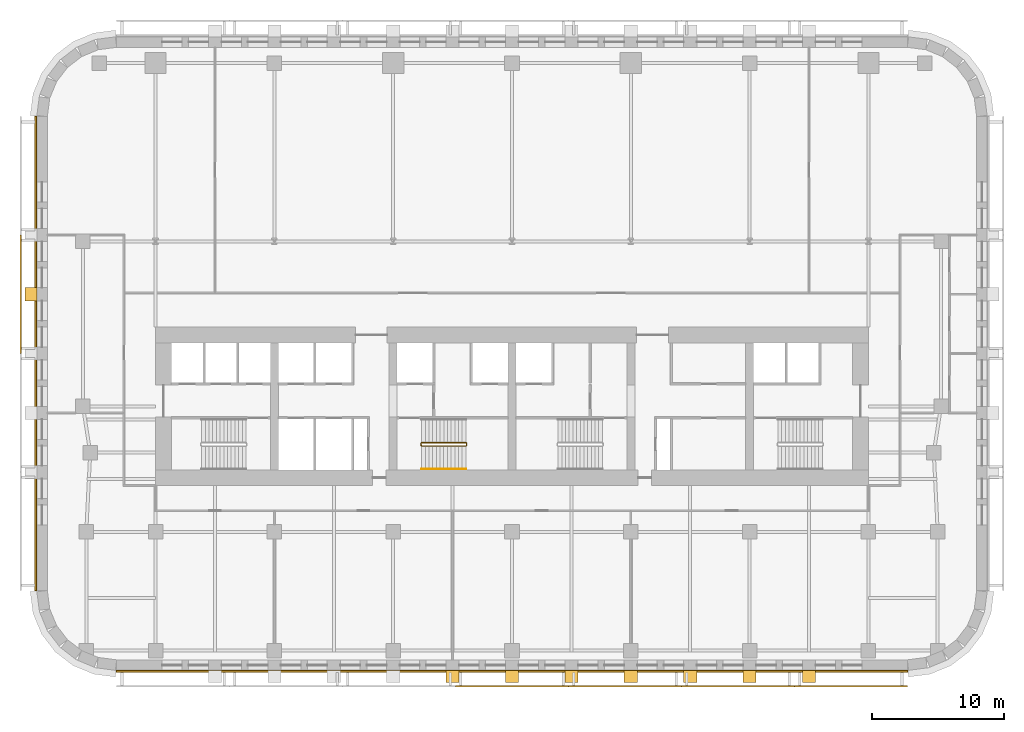
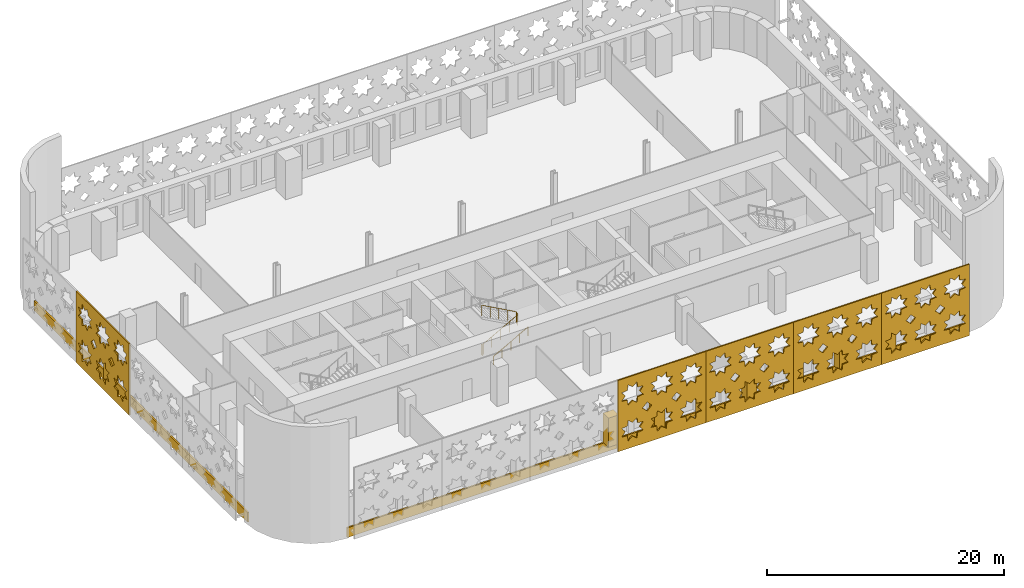
# One storey, part 10 of 13: 15 coverings, 2 railings.
"""IFC4 building model written with IfcOpenShell, lengths in metres."""

from ifc_helpers import new_model, si_unit, direction, frame, origin, origin_2d, place, context, subcontext, project, spatial, polyline, circle, outline, extrude, material, layer, layer_set, type_object, element, save


model = new_model("IFC4")

# Units and contexts
model_context = context("Model", 3, precision=1e-05, world=origin(), true_north=direction((0.0, 1.0)))
body_context = subcontext(model_context, "Body", "Model", "MODEL_VIEW")
ifc_project = project(units=[si_unit("LENGTHUNIT", "METRE"), si_unit("AREAUNIT", "SQUARE_METRE"), si_unit("VOLUMEUNIT", "CUBIC_METRE"), si_unit("PLANEANGLEUNIT", "RADIAN"), si_unit("MASSUNIT", "GRAM", prefix="KILO")], contexts=[model_context])

# Site, building, storey
site_placement = place(None, origin())
site = spatial("IfcSite", under=ifc_project, at=site_placement, CompositionType="ELEMENT")
building_placement = place(site_placement, origin())
building = spatial("IfcBuilding", under=site, at=building_placement, Name="Zellij Exchange Tower", CompositionType="ELEMENT")
storey_placement = place(building_placement, frame((0.0, 0.0, 52.5)))
storey = spatial("IfcBuildingStorey", under=building, at=storey_placement, Name="L09", CompositionType="ELEMENT", Elevation=52.5)

# Railings
ifc_material_1 = material(Name="Stainless steel", Category="steel")
railing_type_1 = type_object("IfcRailingType", Name="CORE-RG stair guard", PredefinedType="GUARDRAIL", material=ifc_material_1)
railing_1_placement = place(storey_placement, frame((-6.89990234375, -10.949951171875, 0.0)))
element("IfcRailing", 1, at=railing_1_placement, inside=storey, type_object=railing_type_1, Name="ST2 stair guard L09", PredefinedType="GUARDRAIL", context=body_context, shape_type="SweptSolid", body=[
    extrude(circle(Radius=0.02392578125, at=origin_2d()), frame((0.0, 0.0, 1.076171875), z_axis=(0.0, 1.0, 0.0), x_axis=(-1.0, 0.0, 0.0)), (0.0, 0.0, 1.0), 0.14990234375),
    extrude(circle(Radius=0.02392578125, at=origin_2d()), frame((0.0, 0.14990234375, 1.076171875), z_axis=(0.193691321961, -0.777613689637, 0.598164376644), x_axis=(0.970351222016, 0.241699205484, 0.0)), (0.0, 0.0, 1.0), 0.257080078125),
    extrude(circle(Radius=0.02392578125, at=origin_2d()), frame((0.0498046875, -0.050048828125, 1.22998046875), z_axis=(0.876421534553, 0.0, 0.481544695509), x_axis=(0.0, 1.0, 0.0)), (0.0, 0.0, 1.0), 3.833984375),
    extrude(circle(Radius=0.02392578125, at=origin_2d()), frame((3.409912109375, -0.050048828125, 3.076171875), z_axis=(0.707106781187, 0.707106781187, 0.0), x_axis=(-0.707106781187, 0.707106781187, 0.0)), (0.0, 0.0, 1.0), 0.07080078125),
    extrude(circle(Radius=0.02392578125, at=origin_2d()), frame((3.4599609375, 0.0, 3.076171875), z_axis=(0.0, 1.0, 0.0), x_axis=(-1.0, 0.0, 0.0)), (0.0, 0.0, 1.0), 0.14990234375),
    extrude(circle(Radius=0.02392578125, at=origin_2d()), frame((3.4599609375, 0.14990234375, 3.076171875), z_axis=(-0.295599637079, 0.295599637079, 0.908428152975), x_axis=(-0.707106781187, -0.707106781187, 0.0)), (0.0, 0.0, 1.0), 0.16943359375),
    extrude(circle(Radius=0.02392578125, at=origin_2d()), frame((3.409912109375, 0.199951171875, 3.22998046875), z_axis=(-0.876421534553, 0.0, 0.481544695509), x_axis=(0.0, -1.0, 0.0)), (0.0, 0.0, 1.0), 3.833984375),
    extrude(circle(Radius=0.02099609375, at=origin_2d()), origin(), (0.0, 0.0, 1.0), 1.052001953125),
    extrude(circle(Radius=0.02099609375, at=origin_2d()), frame((0.0, 0.14990234375, 0.0)), (0.0, 0.0, 1.0), 1.052001953125),
    extrude(circle(Radius=0.02099609375, at=origin_2d()), frame((0.0498046875, -0.050048828125, 0.15380859375)), (0.0, 0.0, 1.0), 1.052001953125),
    extrude(circle(Radius=0.02099609375, at=origin_2d()), frame((0.889892578125, -0.050048828125, 0.615234375)), (0.0, 0.0, 1.0), 1.052001953125),
    extrude(circle(Radius=0.02099609375, at=origin_2d()), frame((1.72998046875, -0.050048828125, 1.076904296875)), (0.0, 0.0, 1.0), 1.052001953125),
    extrude(circle(Radius=0.02099609375, at=origin_2d()), frame((2.56982421875, -0.050048828125, 1.53857421875)), (0.0, 0.0, 1.0), 1.052001953125),
    extrude(circle(Radius=0.02099609375, at=origin_2d()), frame((3.409912109375, -0.050048828125, 2.0)), (0.0, 0.0, 1.0), 1.052001953125),
    extrude(circle(Radius=0.02099609375, at=origin_2d()), frame((3.4599609375, 0.0, 2.0)), (0.0, 0.0, 1.0), 1.052001953125),
    extrude(circle(Radius=0.02099609375, at=origin_2d()), frame((3.4599609375, 0.14990234375, 2.0)), (0.0, 0.0, 1.0), 1.052001953125),
    extrude(circle(Radius=0.02099609375, at=origin_2d()), frame((3.409912109375, 0.199951171875, 2.15380859375)), (0.0, 0.0, 1.0), 1.052001953125),
    extrude(circle(Radius=0.02099609375, at=origin_2d()), frame((2.56982421875, 0.199951171875, 2.615234375)), (0.0, 0.0, 1.0), 1.052001953125),
    extrude(circle(Radius=0.02099609375, at=origin_2d()), frame((1.72998046875, 0.199951171875, 3.076904296875)), (0.0, 0.0, 1.0), 1.052001953125),
    extrude(circle(Radius=0.02099609375, at=origin_2d()), frame((0.889892578125, 0.199951171875, 3.53857421875)), (0.0, 0.0, 1.0), 1.052001953125),
    extrude(circle(Radius=0.02099609375, at=origin_2d()), frame((0.0498046875, 0.199951171875, 4.0)), (0.0, 0.0, 1.0), 1.052001953125),
])
railing_type_2 = type_object("IfcRailingType", Name="CORE-RH stair handrail", PredefinedType="HANDRAIL", material=ifc_material_1)
railing_2_placement = place(storey_placement, frame((-6.85009765625, -12.75, 0.15380859375)))
element("IfcRailing", 2, at=railing_2_placement, inside=storey, type_object=railing_type_2, Name="ST2 stair handrail L09", PredefinedType="HANDRAIL", context=body_context, shape_type="SweptSolid", body=[
    extrude(circle(Radius=0.02392578125, at=origin_2d()), frame((0.0, 0.0, 0.8759765625), z_axis=(0.876421534553, 0.0, 0.481544695509), x_axis=(0.0, 1.0, 0.0)), (0.0, 0.0, 1.0), 3.833984375),
    extrude(circle(Radius=0.02099609375, at=origin_2d()), origin(), (0.0, 0.0, 1.0), 0.851806640625),
    extrude(circle(Radius=0.02099609375, at=origin_2d()), frame((0.840087890625, 0.0, 0.46142578125)), (0.0, 0.0, 1.0), 0.851806640625),
    extrude(circle(Radius=0.02099609375, at=origin_2d()), frame((1.68017578125, 0.0, 0.923095703125)), (0.0, 0.0, 1.0), 0.851806640625),
    extrude(circle(Radius=0.02099609375, at=origin_2d()), frame((2.52001953125, 0.0, 1.384765625)), (0.0, 0.0, 1.0), 0.851806640625),
    extrude(circle(Radius=0.02099609375, at=origin_2d()), frame((3.360107421875, 0.0, 1.84619140625)), (0.0, 0.0, 1.0), 0.851806640625),
])

# Coverings
ifc_material_2 = material(Name="Limestone cladding", Category="masonry")
ifc_layer_1 = layer(ifc_material_2, 0.14990234375)
ifc_layer_set_1 = layer_set([ifc_layer_1], Name="Limestone cladding")
covering_type_1 = type_object("IfcCoveringType", Name="ENV-CV1 Stone spandrel band 150", PredefinedType="CLADDING", material=ifc_layer_set_1)
covering_1_placement = place(storey_placement, frame((0.0, 0.0, -0.199951171875)))
element("IfcCovering", 3, at=covering_1_placement, inside=storey, type_object=covering_type_1, Name="Stone spandrel band", PredefinedType="CLADDING", context=body_context, shape_type="SweptSolid", body=[
    extrude(outline(polyline([(-29.973876953125, -28.0), (29.973876953125, -28.0), (29.983642578125, -28.14990234375), (-29.983642578125, -28.14990234375), (-29.973876953125, -28.0)])), origin(), (0.0, 0.0, 1.0), 1.0),
])
covering_2_placement = place(storey_placement, frame((0.0, 0.0, -0.199951171875)))
element("IfcCovering", 4, at=covering_2_placement, inside=storey, type_object=covering_type_1, Name="Stone spandrel band", PredefinedType="CLADDING", context=body_context, shape_type="SweptSolid", body=[
    extrude(outline(polyline([(-36.0, 13.973876953125), (-36.0, -21.973876953125), (-36.14990234375, -21.983642578125), (-36.14990234375, 13.983642578125), (-36.0, 13.973876953125)])), origin(), (0.0, 0.0, 1.0), 1.0),
])
covering_type_2 = type_object("IfcCoveringType", Name="ENV-CV2 Stone pier 1000x900", PredefinedType="CLADDING", material=ifc_material_2)
covering_3_placement = place(storey_placement, frame((0.0, 0.0, 0.800048828125)))
element("IfcCovering", 5, at=covering_3_placement, inside=storey, type_object=covering_type_2, Name="Stone pier", PredefinedType="CLADDING", context=body_context, shape_type="SweptSolid", body=[
    extrude(outline(polyline([(-5.0, -28.0), (-4.0, -28.0), (-4.0, -28.89990234375), (-5.0, -28.89990234375), (-5.0, -28.0)])), origin(), (0.0, 0.0, 1.0), 3.0),
])
covering_4_placement = place(storey_placement, frame((0.0, 0.0, 0.800048828125)))
element("IfcCovering", 6, at=covering_4_placement, inside=storey, type_object=covering_type_2, Name="Stone pier", PredefinedType="CLADDING", context=body_context, shape_type="SweptSolid", body=[
    extrude(outline(polyline([(-0.5, -28.0), (0.5, -28.0), (0.5, -28.89990234375), (-0.5, -28.89990234375), (-0.5, -28.0)])), origin(), (0.0, 0.0, 1.0), 3.0),
])
covering_5_placement = place(storey_placement, frame((0.0, 0.0, 0.800048828125)))
element("IfcCovering", 7, at=covering_5_placement, inside=storey, type_object=covering_type_2, Name="Stone pier", PredefinedType="CLADDING", context=body_context, shape_type="SweptSolid", body=[
    extrude(outline(polyline([(4.0, -28.0), (5.0, -28.0), (5.0, -28.89990234375), (4.0, -28.89990234375), (4.0, -28.0)])), origin(), (0.0, 0.0, 1.0), 3.0),
])
covering_6_placement = place(storey_placement, frame((0.0, 0.0, 0.800048828125)))
element("IfcCovering", 8, at=covering_6_placement, inside=storey, type_object=covering_type_2, Name="Stone pier", PredefinedType="CLADDING", context=body_context, shape_type="SweptSolid", body=[
    extrude(outline(polyline([(8.5, -28.0), (9.5, -28.0), (9.5, -28.89990234375), (8.5, -28.89990234375), (8.5, -28.0)])), origin(), (0.0, 0.0, 1.0), 3.0),
])
covering_7_placement = place(storey_placement, frame((0.0, 0.0, 0.800048828125)))
element("IfcCovering", 9, at=covering_7_placement, inside=storey, type_object=covering_type_2, Name="Stone pier", PredefinedType="CLADDING", context=body_context, shape_type="SweptSolid", body=[
    extrude(outline(polyline([(13.0, -28.0), (14.0, -28.0), (14.0, -28.89990234375), (13.0, -28.89990234375), (13.0, -28.0)])), origin(), (0.0, 0.0, 1.0), 3.0),
])
covering_8_placement = place(storey_placement, frame((0.0, 0.0, 0.800048828125)))
element("IfcCovering", 10, at=covering_8_placement, inside=storey, type_object=covering_type_2, Name="Stone pier", PredefinedType="CLADDING", context=body_context, shape_type="SweptSolid", body=[
    extrude(outline(polyline([(17.5, -28.0), (18.5, -28.0), (18.5, -28.89990234375), (17.5, -28.89990234375), (17.5, -28.0)])), origin(), (0.0, 0.0, 1.0), 3.0),
])
covering_9_placement = place(storey_placement, frame((0.0, 0.0, 0.800048828125)))
element("IfcCovering", 11, at=covering_9_placement, inside=storey, type_object=covering_type_2, Name="Stone pier", PredefinedType="CLADDING", context=body_context, shape_type="SweptSolid", body=[
    extrude(outline(polyline([(22.0, -28.0), (23.0, -28.0), (23.0, -28.89990234375), (22.0, -28.89990234375), (22.0, -28.0)])), origin(), (0.0, 0.0, 1.0), 3.0),
])
covering_10_placement = place(storey_placement, frame((0.0, 0.0, 0.800048828125)))
element("IfcCovering", 12, at=covering_10_placement, inside=storey, type_object=covering_type_2, Name="Stone pier", PredefinedType="CLADDING", context=body_context, shape_type="SweptSolid", body=[
    extrude(outline(polyline([(-36.0, 0.993408203125), (-36.0, -0.006591796875), (-36.89990234375, -0.006591796875), (-36.89990234375, 0.993408203125), (-36.0, 0.993408203125)])), origin(), (0.0, 0.0, 1.0), 3.0),
])
ifc_material_3 = material(Name="Limestone screen", Category="masonry")
ifc_layer_2 = layer(ifc_material_3, 0.1201171875)
ifc_layer_set_2 = layer_set([ifc_layer_2], Name="Limestone screen")
covering_type_3 = type_object("IfcCoveringType", Name="ENV-SC1 Pierced stone screen 120", PredefinedType="USERDEFINED", material=ifc_layer_set_2)
covering_11_placement = place(storey_placement, frame((-37.2099609375, 4.973876953125, 0.300048828125), z_axis=(0.0, 0.0, 1.0), x_axis=(0.0, -1.0, 0.0)))
element("IfcCovering", 13, at=covering_11_placement, inside=storey, type_object=covering_type_3, Name="Pierced stone screen", ObjectType="SCREEN", PredefinedType="USERDEFINED", context=body_context, shape_type="SweptSolid", body=[
    extrude(outline(polyline([(0.0, 0.0), (8.973876953125, 0.0), (8.973876953125, 7.35009765625), (0.0, 7.35009765625), (0.0, 0.0)]), holes=[polyline([(2.60107421875, 2.29541015625), (2.020263671875, 2.362060546875), (1.95361328125, 2.94287109375), (1.49560546875, 2.579345703125), (1.03759765625, 2.94287109375), (0.97119140625, 2.362060546875), (0.39013671875, 2.29541015625), (0.75390625, 1.83740234375), (0.39013671875, 1.379638671875), (0.97119140625, 1.31298828125), (1.03759765625, 0.732177734375), (1.49560546875, 1.095703125), (1.95361328125, 0.732177734375), (2.020263671875, 1.31298828125), (2.60107421875, 1.379638671875), (2.237548828125, 1.83740234375), (2.60107421875, 2.29541015625)]), polyline([(2.60107421875, 5.970458984375), (2.020263671875, 6.037109375), (1.95361328125, 6.617919921875), (1.49560546875, 6.25439453125), (1.03759765625, 6.617919921875), (0.97119140625, 6.037109375), (0.39013671875, 5.970458984375), (0.75390625, 5.512451171875), (0.39013671875, 5.0546875), (0.97119140625, 4.98779296875), (1.03759765625, 4.406982421875), (1.49560546875, 4.770751953125), (1.95361328125, 4.406982421875), (2.020263671875, 4.98779296875), (2.60107421875, 5.0546875), (2.237548828125, 5.512451171875), (2.60107421875, 5.970458984375)]), polyline([(5.59228515625, 2.29541015625), (5.011474609375, 2.362060546875), (4.94482421875, 2.94287109375), (4.48681640625, 2.579345703125), (4.029052734375, 2.94287109375), (3.96240234375, 2.362060546875), (3.381591796875, 2.29541015625), (3.7451171875, 1.83740234375), (3.381591796875, 1.379638671875), (3.96240234375, 1.31298828125), (4.029052734375, 0.732177734375), (4.48681640625, 1.095703125), (4.94482421875, 0.732177734375), (5.011474609375, 1.31298828125), (5.59228515625, 1.379638671875), (5.228759765625, 1.83740234375), (5.59228515625, 2.29541015625)]), polyline([(5.59228515625, 5.970458984375), (5.011474609375, 6.037109375), (4.94482421875, 6.617919921875), (4.48681640625, 6.25439453125), (4.029052734375, 6.617919921875), (3.96240234375, 6.037109375), (3.381591796875, 5.970458984375), (3.7451171875, 5.512451171875), (3.381591796875, 5.0546875), (3.96240234375, 4.98779296875), (4.029052734375, 4.406982421875), (4.48681640625, 4.770751953125), (4.94482421875, 4.406982421875), (5.011474609375, 4.98779296875), (5.59228515625, 5.0546875), (5.228759765625, 5.512451171875), (5.59228515625, 5.970458984375)]), polyline([(8.58349609375, 2.29541015625), (8.002685546875, 2.362060546875), (7.93603515625, 2.94287109375), (7.478271484375, 2.579345703125), (7.020263671875, 2.94287109375), (6.95361328125, 2.362060546875), (6.372802734375, 2.29541015625), (6.736328125, 1.83740234375), (6.372802734375, 1.379638671875), (6.95361328125, 1.31298828125), (7.020263671875, 0.732177734375), (7.478271484375, 1.095703125), (7.93603515625, 0.732177734375), (8.002685546875, 1.31298828125), (8.58349609375, 1.379638671875), (8.219970703125, 1.83740234375), (8.58349609375, 2.29541015625)]), polyline([(8.58349609375, 5.970458984375), (8.002685546875, 6.037109375), (7.93603515625, 6.617919921875), (7.478271484375, 6.25439453125), (7.020263671875, 6.617919921875), (6.95361328125, 6.037109375), (6.372802734375, 5.970458984375), (6.736328125, 5.512451171875), (6.372802734375, 5.0546875), (6.95361328125, 4.98779296875), (7.020263671875, 4.406982421875), (7.478271484375, 4.770751953125), (7.93603515625, 4.406982421875), (8.002685546875, 4.98779296875), (8.58349609375, 5.0546875), (8.219970703125, 5.512451171875), (8.58349609375, 5.970458984375)]), polyline([(3.469970703125, 3.675048828125), (2.9912109375, 4.153564453125), (2.5126953125, 3.675048828125), (2.9912109375, 3.1962890625), (3.469970703125, 3.675048828125)]), polyline([(6.461181640625, 3.675048828125), (5.982421875, 4.153564453125), (5.50390625, 3.675048828125), (5.982421875, 3.1962890625), (6.461181640625, 3.675048828125)])]), frame((0.0, 0.06005859375, 0.0), z_axis=(0.0, -1.0, 0.0), x_axis=(1.0, 0.0, 0.0)), (0.0, 0.0, 1.0), 0.1201171875),
])
covering_12_placement = place(storey_placement, frame((-4.2783203125, -29.2099609375, 0.300048828125), z_axis=(0.0, 0.0, 1.0), x_axis=(1.0, 0.0, 0.0)))
element("IfcCovering", 14, at=covering_12_placement, inside=storey, type_object=covering_type_3, Name="Pierced stone screen", ObjectType="SCREEN", PredefinedType="USERDEFINED", context=body_context, shape_type="SweptSolid", body=[
    extrude(outline(polyline([(0.0, 0.0), (8.556396484375, 0.0), (8.556396484375, 7.35009765625), (0.0, 7.35009765625), (0.0, 0.0)]), holes=[polyline([(2.47998046875, 2.274169921875), (1.92626953125, 2.337646484375), (1.86279296875, 2.8916015625), (1.426025390625, 2.544921875), (0.989501953125, 2.8916015625), (0.92578125, 2.337646484375), (0.3720703125, 2.274169921875), (0.71875, 1.83740234375), (0.3720703125, 1.40087890625), (0.92578125, 1.33740234375), (0.989501953125, 0.783447265625), (1.426025390625, 1.130126953125), (1.86279296875, 0.783447265625), (1.92626953125, 1.33740234375), (2.47998046875, 1.40087890625), (2.13330078125, 1.83740234375), (2.47998046875, 2.274169921875)]), polyline([(2.47998046875, 5.94921875), (1.92626953125, 6.0126953125), (1.86279296875, 6.56640625), (1.426025390625, 6.2197265625), (0.989501953125, 6.56640625), (0.92578125, 6.0126953125), (0.3720703125, 5.94921875), (0.71875, 5.512451171875), (0.3720703125, 5.075927734375), (0.92578125, 5.01220703125), (0.989501953125, 4.45849609375), (1.426025390625, 4.80517578125), (1.86279296875, 4.45849609375), (1.92626953125, 5.01220703125), (2.47998046875, 5.075927734375), (2.13330078125, 5.512451171875), (2.47998046875, 5.94921875)]), polyline([(5.332275390625, 2.274169921875), (4.7783203125, 2.337646484375), (4.71484375, 2.8916015625), (4.2783203125, 2.544921875), (3.841552734375, 2.8916015625), (3.778076171875, 2.337646484375), (3.22412109375, 2.274169921875), (3.57080078125, 1.83740234375), (3.22412109375, 1.40087890625), (3.778076171875, 1.33740234375), (3.841552734375, 0.783447265625), (4.2783203125, 1.130126953125), (4.71484375, 0.783447265625), (4.7783203125, 1.33740234375), (5.332275390625, 1.40087890625), (4.985595703125, 1.83740234375), (5.332275390625, 2.274169921875)]), polyline([(5.332275390625, 5.94921875), (4.7783203125, 6.0126953125), (4.71484375, 6.56640625), (4.2783203125, 6.2197265625), (3.841552734375, 6.56640625), (3.778076171875, 6.0126953125), (3.22412109375, 5.94921875), (3.57080078125, 5.512451171875), (3.22412109375, 5.075927734375), (3.778076171875, 5.01220703125), (3.841552734375, 4.45849609375), (4.2783203125, 4.80517578125), (4.71484375, 4.45849609375), (4.7783203125, 5.01220703125), (5.332275390625, 5.075927734375), (4.985595703125, 5.512451171875), (5.332275390625, 5.94921875)]), polyline([(8.184326171875, 2.274169921875), (7.630615234375, 2.337646484375), (7.56689453125, 2.8916015625), (7.13037109375, 2.544921875), (6.69384765625, 2.8916015625), (6.630126953125, 2.337646484375), (6.076416015625, 2.274169921875), (6.423095703125, 1.83740234375), (6.076416015625, 1.40087890625), (6.630126953125, 1.33740234375), (6.69384765625, 0.783447265625), (7.13037109375, 1.130126953125), (7.56689453125, 0.783447265625), (7.630615234375, 1.33740234375), (8.184326171875, 1.40087890625), (7.837646484375, 1.83740234375), (8.184326171875, 2.274169921875)]), polyline([(8.184326171875, 5.94921875), (7.630615234375, 6.0126953125), (7.56689453125, 6.56640625), (7.13037109375, 6.2197265625), (6.69384765625, 6.56640625), (6.630126953125, 6.0126953125), (6.076416015625, 5.94921875), (6.423095703125, 5.512451171875), (6.076416015625, 5.075927734375), (6.630126953125, 5.01220703125), (6.69384765625, 4.45849609375), (7.13037109375, 4.80517578125), (7.56689453125, 4.45849609375), (7.630615234375, 5.01220703125), (8.184326171875, 5.075927734375), (7.837646484375, 5.512451171875), (8.184326171875, 5.94921875)]), polyline([(3.30859375, 3.675048828125), (2.852294921875, 4.13134765625), (2.395751953125, 3.675048828125), (2.852294921875, 3.21875), (3.30859375, 3.675048828125)]), polyline([(6.16064453125, 3.675048828125), (5.704345703125, 4.13134765625), (5.248046875, 3.675048828125), (5.704345703125, 3.21875), (6.16064453125, 3.675048828125)])]), frame((0.0, 0.06005859375, 0.0), z_axis=(0.0, -1.0, 0.0), x_axis=(1.0, 0.0, 0.0)), (0.0, 0.0, 1.0), 0.1201171875),
])
covering_13_placement = place(storey_placement, frame((4.2783203125, -29.2099609375, 0.300048828125), z_axis=(0.0, 0.0, 1.0), x_axis=(1.0, 0.0, 0.0)))
element("IfcCovering", 15, at=covering_13_placement, inside=storey, type_object=covering_type_3, Name="Pierced stone screen", ObjectType="SCREEN", PredefinedType="USERDEFINED", context=body_context, shape_type="SweptSolid", body=[
    extrude(outline(polyline([(0.0, 0.0), (8.556396484375, 0.0), (8.556396484375, 7.35009765625), (0.0, 7.35009765625), (0.0, 0.0)]), holes=[polyline([(2.47998046875, 2.274169921875), (1.92626953125, 2.337646484375), (1.86279296875, 2.8916015625), (1.426025390625, 2.544921875), (0.989501953125, 2.8916015625), (0.92578125, 2.337646484375), (0.3720703125, 2.274169921875), (0.71875, 1.83740234375), (0.3720703125, 1.40087890625), (0.92578125, 1.33740234375), (0.989501953125, 0.783447265625), (1.426025390625, 1.130126953125), (1.86279296875, 0.783447265625), (1.92626953125, 1.33740234375), (2.47998046875, 1.40087890625), (2.13330078125, 1.83740234375), (2.47998046875, 2.274169921875)]), polyline([(2.47998046875, 5.94921875), (1.92626953125, 6.0126953125), (1.86279296875, 6.56640625), (1.426025390625, 6.2197265625), (0.989501953125, 6.56640625), (0.92578125, 6.0126953125), (0.3720703125, 5.94921875), (0.71875, 5.512451171875), (0.3720703125, 5.075927734375), (0.92578125, 5.01220703125), (0.989501953125, 4.45849609375), (1.426025390625, 4.80517578125), (1.86279296875, 4.45849609375), (1.92626953125, 5.01220703125), (2.47998046875, 5.075927734375), (2.13330078125, 5.512451171875), (2.47998046875, 5.94921875)]), polyline([(5.332275390625, 2.274169921875), (4.7783203125, 2.337646484375), (4.71484375, 2.8916015625), (4.2783203125, 2.544921875), (3.841552734375, 2.8916015625), (3.778076171875, 2.337646484375), (3.22412109375, 2.274169921875), (3.57080078125, 1.83740234375), (3.22412109375, 1.40087890625), (3.778076171875, 1.33740234375), (3.841552734375, 0.783447265625), (4.2783203125, 1.130126953125), (4.71484375, 0.783447265625), (4.7783203125, 1.33740234375), (5.332275390625, 1.40087890625), (4.985595703125, 1.83740234375), (5.332275390625, 2.274169921875)]), polyline([(5.332275390625, 5.94921875), (4.7783203125, 6.0126953125), (4.71484375, 6.56640625), (4.2783203125, 6.2197265625), (3.841552734375, 6.56640625), (3.778076171875, 6.0126953125), (3.22412109375, 5.94921875), (3.57080078125, 5.512451171875), (3.22412109375, 5.075927734375), (3.778076171875, 5.01220703125), (3.841552734375, 4.45849609375), (4.2783203125, 4.80517578125), (4.71484375, 4.45849609375), (4.7783203125, 5.01220703125), (5.332275390625, 5.075927734375), (4.985595703125, 5.512451171875), (5.332275390625, 5.94921875)]), polyline([(8.184326171875, 2.274169921875), (7.630615234375, 2.337646484375), (7.56689453125, 2.8916015625), (7.13037109375, 2.544921875), (6.69384765625, 2.8916015625), (6.630126953125, 2.337646484375), (6.076416015625, 2.274169921875), (6.423095703125, 1.83740234375), (6.076416015625, 1.40087890625), (6.630126953125, 1.33740234375), (6.69384765625, 0.783447265625), (7.13037109375, 1.130126953125), (7.56689453125, 0.783447265625), (7.630615234375, 1.33740234375), (8.184326171875, 1.40087890625), (7.837646484375, 1.83740234375), (8.184326171875, 2.274169921875)]), polyline([(8.184326171875, 5.94921875), (7.630615234375, 6.0126953125), (7.56689453125, 6.56640625), (7.13037109375, 6.2197265625), (6.69384765625, 6.56640625), (6.630126953125, 6.0126953125), (6.076416015625, 5.94921875), (6.423095703125, 5.512451171875), (6.076416015625, 5.075927734375), (6.630126953125, 5.01220703125), (6.69384765625, 4.45849609375), (7.13037109375, 4.80517578125), (7.56689453125, 4.45849609375), (7.630615234375, 5.01220703125), (8.184326171875, 5.075927734375), (7.837646484375, 5.512451171875), (8.184326171875, 5.94921875)]), polyline([(3.30859375, 3.675048828125), (2.852294921875, 4.13134765625), (2.395751953125, 3.675048828125), (2.852294921875, 3.21875), (3.30859375, 3.675048828125)]), polyline([(6.16064453125, 3.675048828125), (5.704345703125, 4.13134765625), (5.248046875, 3.675048828125), (5.704345703125, 3.21875), (6.16064453125, 3.675048828125)])]), frame((0.0, 0.06005859375, 0.0), z_axis=(0.0, -1.0, 0.0), x_axis=(1.0, 0.0, 0.0)), (0.0, 0.0, 1.0), 0.1201171875),
])
covering_14_placement = place(storey_placement, frame((12.834716796875, -29.2099609375, 0.300048828125), z_axis=(0.0, 0.0, 1.0), x_axis=(1.0, 0.0, 0.0)))
element("IfcCovering", 16, at=covering_14_placement, inside=storey, type_object=covering_type_3, Name="Pierced stone screen", ObjectType="SCREEN", PredefinedType="USERDEFINED", context=body_context, shape_type="SweptSolid", body=[
    extrude(outline(polyline([(0.0, 0.0), (8.556396484375, 0.0), (8.556396484375, 7.35009765625), (0.0, 7.35009765625), (0.0, 0.0)]), holes=[polyline([(2.47998046875, 2.274169921875), (1.92626953125, 2.337646484375), (1.86279296875, 2.8916015625), (1.426025390625, 2.544921875), (0.989501953125, 2.8916015625), (0.92578125, 2.337646484375), (0.3720703125, 2.274169921875), (0.71875, 1.83740234375), (0.3720703125, 1.40087890625), (0.92578125, 1.33740234375), (0.989501953125, 0.783447265625), (1.426025390625, 1.130126953125), (1.86279296875, 0.783447265625), (1.92626953125, 1.33740234375), (2.47998046875, 1.40087890625), (2.13330078125, 1.83740234375), (2.47998046875, 2.274169921875)]), polyline([(2.47998046875, 5.94921875), (1.92626953125, 6.0126953125), (1.86279296875, 6.56640625), (1.426025390625, 6.2197265625), (0.989501953125, 6.56640625), (0.92578125, 6.0126953125), (0.3720703125, 5.94921875), (0.71875, 5.512451171875), (0.3720703125, 5.075927734375), (0.92578125, 5.01220703125), (0.989501953125, 4.45849609375), (1.426025390625, 4.80517578125), (1.86279296875, 4.45849609375), (1.92626953125, 5.01220703125), (2.47998046875, 5.075927734375), (2.13330078125, 5.512451171875), (2.47998046875, 5.94921875)]), polyline([(5.332275390625, 2.274169921875), (4.7783203125, 2.337646484375), (4.71484375, 2.8916015625), (4.2783203125, 2.544921875), (3.841552734375, 2.8916015625), (3.778076171875, 2.337646484375), (3.22412109375, 2.274169921875), (3.57080078125, 1.83740234375), (3.22412109375, 1.40087890625), (3.778076171875, 1.33740234375), (3.841552734375, 0.783447265625), (4.2783203125, 1.130126953125), (4.71484375, 0.783447265625), (4.7783203125, 1.33740234375), (5.332275390625, 1.40087890625), (4.985595703125, 1.83740234375), (5.332275390625, 2.274169921875)]), polyline([(5.332275390625, 5.94921875), (4.7783203125, 6.0126953125), (4.71484375, 6.56640625), (4.2783203125, 6.2197265625), (3.841552734375, 6.56640625), (3.778076171875, 6.0126953125), (3.22412109375, 5.94921875), (3.57080078125, 5.512451171875), (3.22412109375, 5.075927734375), (3.778076171875, 5.01220703125), (3.841552734375, 4.45849609375), (4.2783203125, 4.80517578125), (4.71484375, 4.45849609375), (4.7783203125, 5.01220703125), (5.332275390625, 5.075927734375), (4.985595703125, 5.512451171875), (5.332275390625, 5.94921875)]), polyline([(8.184326171875, 2.274169921875), (7.630615234375, 2.337646484375), (7.56689453125, 2.8916015625), (7.13037109375, 2.544921875), (6.69384765625, 2.8916015625), (6.630126953125, 2.337646484375), (6.076416015625, 2.274169921875), (6.423095703125, 1.83740234375), (6.076416015625, 1.40087890625), (6.630126953125, 1.33740234375), (6.69384765625, 0.783447265625), (7.13037109375, 1.130126953125), (7.56689453125, 0.783447265625), (7.630615234375, 1.33740234375), (8.184326171875, 1.40087890625), (7.837646484375, 1.83740234375), (8.184326171875, 2.274169921875)]), polyline([(8.184326171875, 5.94921875), (7.630615234375, 6.0126953125), (7.56689453125, 6.56640625), (7.13037109375, 6.2197265625), (6.69384765625, 6.56640625), (6.630126953125, 6.0126953125), (6.076416015625, 5.94921875), (6.423095703125, 5.512451171875), (6.076416015625, 5.075927734375), (6.630126953125, 5.01220703125), (6.69384765625, 4.45849609375), (7.13037109375, 4.80517578125), (7.56689453125, 4.45849609375), (7.630615234375, 5.01220703125), (8.184326171875, 5.075927734375), (7.837646484375, 5.512451171875), (8.184326171875, 5.94921875)]), polyline([(3.30859375, 3.675048828125), (2.852294921875, 4.13134765625), (2.395751953125, 3.675048828125), (2.852294921875, 3.21875), (3.30859375, 3.675048828125)]), polyline([(6.16064453125, 3.675048828125), (5.704345703125, 4.13134765625), (5.248046875, 3.675048828125), (5.704345703125, 3.21875), (6.16064453125, 3.675048828125)])]), frame((0.0, 0.06005859375, 0.0), z_axis=(0.0, -1.0, 0.0), x_axis=(1.0, 0.0, 0.0)), (0.0, 0.0, 1.0), 0.1201171875),
])
covering_15_placement = place(storey_placement, frame((21.39111328125, -29.2099609375, 0.300048828125), z_axis=(0.0, 0.0, 1.0), x_axis=(1.0, 0.0, 0.0)))
element("IfcCovering", 17, at=covering_15_placement, inside=storey, type_object=covering_type_3, Name="Pierced stone screen", ObjectType="SCREEN", PredefinedType="USERDEFINED", context=body_context, shape_type="SweptSolid", body=[
    extrude(outline(polyline([(0.0, 0.0), (8.556396484375, 0.0), (8.556396484375, 7.35009765625), (0.0, 7.35009765625), (0.0, 0.0)]), holes=[polyline([(2.47998046875, 2.274169921875), (1.92626953125, 2.337646484375), (1.86279296875, 2.8916015625), (1.426025390625, 2.544921875), (0.989501953125, 2.8916015625), (0.92578125, 2.337646484375), (0.3720703125, 2.274169921875), (0.71875, 1.83740234375), (0.3720703125, 1.40087890625), (0.92578125, 1.33740234375), (0.989501953125, 0.783447265625), (1.426025390625, 1.130126953125), (1.86279296875, 0.783447265625), (1.92626953125, 1.33740234375), (2.47998046875, 1.40087890625), (2.13330078125, 1.83740234375), (2.47998046875, 2.274169921875)]), polyline([(2.47998046875, 5.94921875), (1.92626953125, 6.0126953125), (1.86279296875, 6.56640625), (1.426025390625, 6.2197265625), (0.989501953125, 6.56640625), (0.92578125, 6.0126953125), (0.3720703125, 5.94921875), (0.71875, 5.512451171875), (0.3720703125, 5.075927734375), (0.92578125, 5.01220703125), (0.989501953125, 4.45849609375), (1.426025390625, 4.80517578125), (1.86279296875, 4.45849609375), (1.92626953125, 5.01220703125), (2.47998046875, 5.075927734375), (2.13330078125, 5.512451171875), (2.47998046875, 5.94921875)]), polyline([(5.332275390625, 2.274169921875), (4.7783203125, 2.337646484375), (4.71484375, 2.8916015625), (4.2783203125, 2.544921875), (3.841552734375, 2.8916015625), (3.778076171875, 2.337646484375), (3.22412109375, 2.274169921875), (3.57080078125, 1.83740234375), (3.22412109375, 1.40087890625), (3.778076171875, 1.33740234375), (3.841552734375, 0.783447265625), (4.2783203125, 1.130126953125), (4.71484375, 0.783447265625), (4.7783203125, 1.33740234375), (5.332275390625, 1.40087890625), (4.985595703125, 1.83740234375), (5.332275390625, 2.274169921875)]), polyline([(5.332275390625, 5.94921875), (4.7783203125, 6.0126953125), (4.71484375, 6.56640625), (4.2783203125, 6.2197265625), (3.841552734375, 6.56640625), (3.778076171875, 6.0126953125), (3.22412109375, 5.94921875), (3.57080078125, 5.512451171875), (3.22412109375, 5.075927734375), (3.778076171875, 5.01220703125), (3.841552734375, 4.45849609375), (4.2783203125, 4.80517578125), (4.71484375, 4.45849609375), (4.7783203125, 5.01220703125), (5.332275390625, 5.075927734375), (4.985595703125, 5.512451171875), (5.332275390625, 5.94921875)]), polyline([(8.184326171875, 2.274169921875), (7.630615234375, 2.337646484375), (7.56689453125, 2.8916015625), (7.13037109375, 2.544921875), (6.69384765625, 2.8916015625), (6.630126953125, 2.337646484375), (6.076416015625, 2.274169921875), (6.423095703125, 1.83740234375), (6.076416015625, 1.40087890625), (6.630126953125, 1.33740234375), (6.69384765625, 0.783447265625), (7.13037109375, 1.130126953125), (7.56689453125, 0.783447265625), (7.630615234375, 1.33740234375), (8.184326171875, 1.40087890625), (7.837646484375, 1.83740234375), (8.184326171875, 2.274169921875)]), polyline([(8.184326171875, 5.94921875), (7.630615234375, 6.0126953125), (7.56689453125, 6.56640625), (7.13037109375, 6.2197265625), (6.69384765625, 6.56640625), (6.630126953125, 6.0126953125), (6.076416015625, 5.94921875), (6.423095703125, 5.512451171875), (6.076416015625, 5.075927734375), (6.630126953125, 5.01220703125), (6.69384765625, 4.45849609375), (7.13037109375, 4.80517578125), (7.56689453125, 4.45849609375), (7.630615234375, 5.01220703125), (8.184326171875, 5.075927734375), (7.837646484375, 5.512451171875), (8.184326171875, 5.94921875)]), polyline([(3.30859375, 3.675048828125), (2.852294921875, 4.13134765625), (2.395751953125, 3.675048828125), (2.852294921875, 3.21875), (3.30859375, 3.675048828125)]), polyline([(6.16064453125, 3.675048828125), (5.704345703125, 4.13134765625), (5.248046875, 3.675048828125), (5.704345703125, 3.21875), (6.16064453125, 3.675048828125)])]), frame((0.0, 0.06005859375, 0.0), z_axis=(0.0, -1.0, 0.0), x_axis=(1.0, 0.0, 0.0)), (0.0, 0.0, 1.0), 0.1201171875),
])

save(model, "model.ifc")
